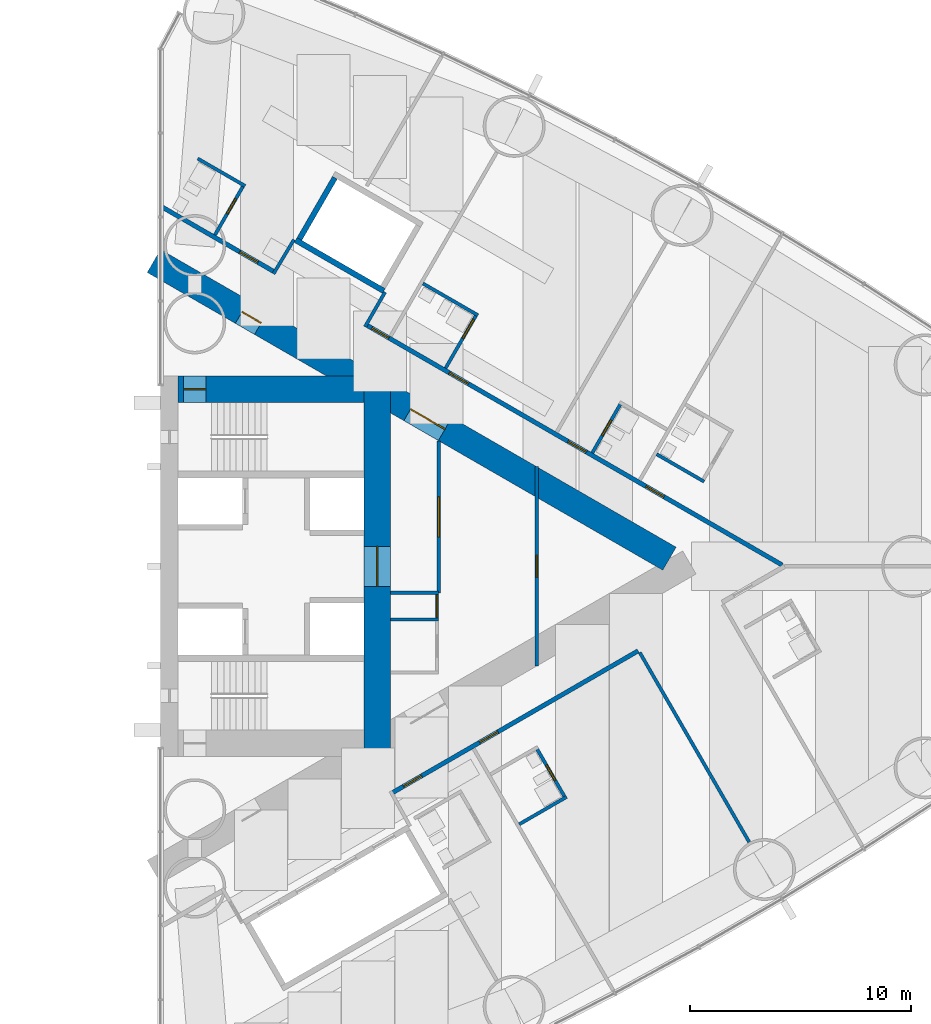
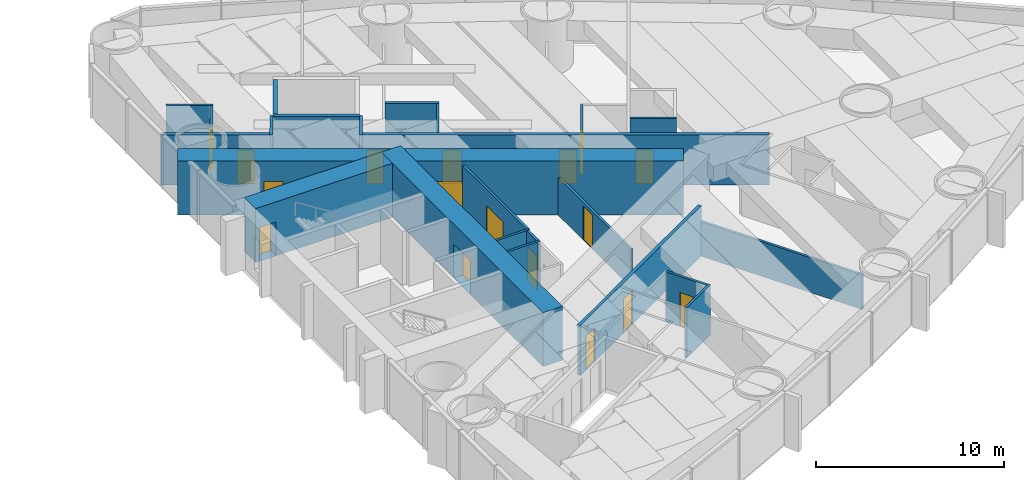
# One storey, part 14 of 18: 24 walls, 18 doors, 18 openings.
"""IFC4 building model written with IfcOpenShell, lengths in metres."""

from ifc_helpers import new_model, si_unit, direction, frame, frame_2d, origin, place, context, subcontext, project, spatial, rectangle, extrude, material, layer, layer_set, type_object, element, fill, save


model = new_model("IFC4")

# Units and contexts
model_context = context("Model", 3, precision=1e-05, world=origin(), true_north=direction((0.0, 1.0)))
body_context = subcontext(model_context, "Body", "Model", "MODEL_VIEW")
ifc_project = project(units=[si_unit("LENGTHUNIT", "METRE"), si_unit("AREAUNIT", "SQUARE_METRE"), si_unit("VOLUMEUNIT", "CUBIC_METRE"), si_unit("PLANEANGLEUNIT", "RADIAN"), si_unit("MASSUNIT", "GRAM", prefix="KILO")], contexts=[model_context])

# Site, building, storey
site_placement = place(None, origin())
site = spatial("IfcSite", under=ifc_project, at=site_placement, CompositionType="ELEMENT")
building_placement = place(site_placement, origin())
building = spatial("IfcBuilding", under=site, at=building_placement, Name="Lancet Gate Hotel", CompositionType="ELEMENT")
storey_placement = place(building_placement, frame((0.0, 0.0, 56.5)))
storey = spatial("IfcBuildingStorey", under=building, at=storey_placement, Name="L14", CompositionType="ELEMENT", Elevation=56.5)

# Wall
ifc_material_1 = material(Name="Moisture resistant board partition")
ifc_layer_1 = layer(ifc_material_1, 0.14990234375)
ifc_layer_set_1 = layer_set([ifc_layer_1], Name="Bathroom wall 150")
wall_type_1 = type_object("IfcWallType", Name="Bathroom wall 150", PredefinedType="PARTITIONING", material=ifc_layer_set_1)
wall_1_placement = place(storey_placement, frame((43.71240234375, -11.65673828125, 0.0), z_axis=(0.0, 0.0, 1.0), x_axis=(0.866006523861, 0.500032699561, 0.0)))
element("IfcWall", 1, at=wall_1_placement, inside=storey, type_object=wall_type_1, Name="T2 bathroom wall 150 L14", PredefinedType="PARTITIONING", context=body_context, shape_type="SweptSolid", body=[
    extrude(rectangle(XDim=2.474853515625, YDim=0.14990234375, at=frame_2d((1.2373046875, 0.0))), origin(), (0.0, 0.0, 1.0), 3.25),
])

# Wall, opening, door
wall_2_placement = place(storey_placement, frame((44.49072265625, -8.205078125, 0.0), z_axis=(0.0, 0.0, 1.0), x_axis=(0.500047596559, -0.865997922154, 0.0)))
wall_2 = element("IfcWall", 2, at=wall_2_placement, inside=storey, type_object=wall_type_1, Name="T2 bathroom wall 150 L14", PredefinedType="PARTITIONING", context=body_context, shape_type="SweptSolid", body=[
    extrude(rectangle(XDim=2.599853515625, YDim=0.14990234375, at=frame_2d((1.2998046875, 0.0))), origin(), (0.0, 0.0, 1.0), 3.25),
])
opening_1_placement = place(wall_2_placement, frame((0.89990234375, 0.0, 0.0)))
opening_1 = element("IfcOpeningElement", 3, at=opening_1_placement, cuts=wall_2, Name="Opening 1454-B", PredefinedType="OPENING", context=body_context, shape_type="SweptSolid", body=[
    extrude(rectangle(XDim=0.800048828125, YDim=2.199951171875, at=frame_2d((0.39990234375, 1.10009765625))), frame((0.0, 0.0849609375, 0.0), z_axis=(0.0, -1.0, 0.0), x_axis=(1.0, 0.0, 0.0)), (0.0, 0.0, 1.0), 0.169921875),
])
ifc_material_2 = material(Name="Timber door set", Category="wood")
door_type_1 = type_object("IfcDoorType", Name="Bathroom door 800", OperationType="SINGLE_SWING_RIGHT", PredefinedType="DOOR", material=ifc_material_2)
door_1_placement = place(opening_1_placement, origin())
door_1 = element("IfcDoor", 4, at=door_1_placement, inside=storey, type_object=door_type_1, Name="1454-B", OperationType="SINGLE_SWING_RIGHT", OverallHeight=2.199951171875, OverallWidth=0.800048828125, PredefinedType="DOOR", context=body_context, shape_type="SweptSolid", body=[
    extrude(rectangle(XDim=0.800048828125, YDim=2.199951171875, at=frame_2d((0.39990234375, 1.10009765625))), frame((0.0, 0.02490234375, 0.0), z_axis=(0.0, -1.0, 0.0), x_axis=(1.0, 0.0, 0.0)), (0.0, 0.0, 1.0), 0.050048828125),
])
fill(opening_1, door_1)

# Wall
wall_3_placement = place(storey_placement, frame((49.924560546875, 5.06787109375, 0.0), z_axis=(0.0, 0.0, 1.0), x_axis=(0.866006523861, -0.500032699561, 0.0)))
element("IfcWall", 5, at=wall_3_placement, inside=storey, type_object=wall_type_1, Name="T2 bathroom wall 150 L14", PredefinedType="PARTITIONING", context=body_context, shape_type="SweptSolid", body=[
    extrude(rectangle(XDim=2.474853515625, YDim=0.14990234375, at=frame_2d((1.2373046875, 0.0))), origin(), (0.0, 0.0, 1.0), 3.25),
])

# Wall, opening, door
wall_4_placement = place(storey_placement, frame((47.01611328125, 5.13037109375, 0.0), z_axis=(0.0, 0.0, 1.0), x_axis=(0.500006934395, 0.866021400173, 0.0)))
wall_4 = element("IfcWall", 6, at=wall_4_placement, inside=storey, type_object=wall_type_1, Name="T2 bathroom wall 150 L14", PredefinedType="PARTITIONING", context=body_context, shape_type="SweptSolid", body=[
    extrude(rectangle(XDim=2.60009765625, YDim=0.14990234375, at=frame_2d((1.300048828125, 0.0))), origin(), (0.0, 0.0, 1.0), 3.25),
])
opening_2_placement = place(wall_4_placement, frame((0.89990234375, 0.0, 0.0)))
opening_2 = element("IfcOpeningElement", 7, at=opening_2_placement, cuts=wall_4, Name="Opening 1460-B", PredefinedType="OPENING", context=body_context, shape_type="SweptSolid", body=[
    extrude(rectangle(XDim=0.800048828125, YDim=2.199951171875, at=frame_2d((0.39990234375, 1.10009765625))), frame((0.0, 0.0849609375, 0.0), z_axis=(0.0, -1.0, 0.0), x_axis=(1.0, 0.0, 0.0)), (0.0, 0.0, 1.0), 0.169921875),
])
door_2_placement = place(opening_2_placement, origin())
door_2 = element("IfcDoor", 8, at=door_2_placement, inside=storey, type_object=door_type_1, Name="1460-B", OperationType="SINGLE_SWING_RIGHT", OverallHeight=2.199951171875, OverallWidth=0.800048828125, PredefinedType="DOOR", context=body_context, shape_type="SweptSolid", body=[
    extrude(rectangle(XDim=0.800048828125, YDim=2.199951171875, at=frame_2d((0.39990234375, 1.10009765625))), frame((0.0, 0.02490234375, 0.0), z_axis=(0.0, -1.0, 0.0), x_axis=(1.0, 0.0, 0.0)), (0.0, 0.0, 1.0), 0.050048828125),
])
fill(opening_2, door_2)

# Wall
wall_5_placement = place(storey_placement, frame((39.360107421875, 12.78369140625, 0.0), z_axis=(0.0, 0.0, 1.0), x_axis=(0.866018712932, -0.500011588718, 0.0)))
element("IfcWall", 9, at=wall_5_placement, inside=storey, type_object=wall_type_1, Name="T2 bathroom wall 150 L14", PredefinedType="PARTITIONING", context=body_context, shape_type="SweptSolid", body=[
    extrude(rectangle(XDim=2.875, YDim=0.14990234375, at=frame_2d((1.4375, 0.0))), origin(), (0.0, 0.0, 1.0), 3.25),
])

# Wall, opening, door
wall_6_placement = place(storey_placement, frame((40.385009765625, 8.958984375, 0.0), z_axis=(0.0, 0.0, 1.0), x_axis=(0.49998411664, 0.866034573852, 0.0)))
wall_6 = element("IfcWall", 10, at=wall_6_placement, inside=storey, type_object=wall_type_1, Name="T2 bathroom wall 150 L14", PredefinedType="PARTITIONING", context=body_context, shape_type="SweptSolid", body=[
    extrude(rectangle(XDim=2.7998046875, YDim=0.14990234375, at=frame_2d((1.39990234375, 0.0))), origin(), (0.0, 0.0, 1.0), 3.25),
])
opening_3_placement = place(wall_6_placement, frame((1.550048828125, 0.0, 0.0)))
opening_3 = element("IfcOpeningElement", 11, at=opening_3_placement, cuts=wall_6, Name="Opening 1461-B", PredefinedType="OPENING", context=body_context, shape_type="SweptSolid", body=[
    extrude(rectangle(XDim=1.0, YDim=2.199951171875, at=frame_2d((0.5, 1.10009765625))), frame((0.0, 0.0849609375, 0.0), z_axis=(0.0, -1.0, 0.0), x_axis=(1.0, 0.0, 0.0)), (0.0, 0.0, 1.0), 0.169921875),
])
ifc_material_3 = material(Name="Timber door set", Category="wood")
door_type_2 = type_object("IfcDoorType", Name="Accessible en-suite door 1000", OperationType="SINGLE_SWING_RIGHT", PredefinedType="DOOR", material=ifc_material_3)
door_3_placement = place(opening_3_placement, origin())
door_3 = element("IfcDoor", 12, at=door_3_placement, inside=storey, type_object=door_type_2, Name="1461-B", OperationType="SINGLE_SWING_RIGHT", OverallHeight=2.199951171875, OverallWidth=1.0, PredefinedType="DOOR", context=body_context, shape_type="SweptSolid", body=[
    extrude(rectangle(XDim=1.0, YDim=2.199951171875, at=frame_2d((0.5, 1.10009765625))), frame((0.0, 0.02490234375, 0.0), z_axis=(0.0, -1.0, 0.0), x_axis=(1.0, 0.0, 0.0)), (0.0, 0.0, 1.0), 0.050048828125),
])
fill(opening_3, door_3)

# Wall
wall_7_placement = place(storey_placement, frame((29.181884765625, 18.42919921875, 0.0), z_axis=(0.0, 0.0, 1.0), x_axis=(0.866006523861, -0.500032699561, 0.0)))
element("IfcWall", 13, at=wall_7_placement, inside=storey, type_object=wall_type_1, Name="T2 bathroom wall 150 L14", PredefinedType="PARTITIONING", context=body_context, shape_type="SweptSolid", body=[
    extrude(rectangle(XDim=2.474853515625, YDim=0.14990234375, at=frame_2d((1.2373046875, 0.0))), origin(), (0.0, 0.0, 1.0), 3.25),
])

# Wall, opening, door
wall_8_placement = place(storey_placement, frame((29.960205078125, 14.9775390625, 0.0), z_axis=(0.0, 0.0, 1.0), x_axis=(0.500006934395, 0.866021400173, 0.0)))
wall_8 = element("IfcWall", 14, at=wall_8_placement, inside=storey, type_object=wall_type_1, Name="T2 bathroom wall 150 L14", PredefinedType="PARTITIONING", context=body_context, shape_type="SweptSolid", body=[
    extrude(rectangle(XDim=2.60009765625, YDim=0.14990234375, at=frame_2d((1.300048828125, 0.0))), origin(), (0.0, 0.0, 1.0), 3.25),
])
opening_4_placement = place(wall_8_placement, frame((1.10009765625, 0.0, 0.0)))
opening_4 = element("IfcOpeningElement", 15, at=opening_4_placement, cuts=wall_8, Name="Opening 1464-B", PredefinedType="OPENING", context=body_context, shape_type="SweptSolid", body=[
    extrude(rectangle(XDim=0.800048828125, YDim=2.199951171875, at=frame_2d((0.39990234375, 1.10009765625))), frame((0.0, 0.0849609375, 0.0), z_axis=(0.0, -1.0, 0.0), x_axis=(1.0, 0.0, 0.0)), (0.0, 0.0, 1.0), 0.169921875),
])
door_4_placement = place(opening_4_placement, origin())
door_4 = element("IfcDoor", 16, at=door_4_placement, inside=storey, type_object=door_type_1, Name="1464-B", OperationType="SINGLE_SWING_RIGHT", OverallHeight=2.199951171875, OverallWidth=0.800048828125, PredefinedType="DOOR", context=body_context, shape_type="SweptSolid", body=[
    extrude(rectangle(XDim=0.800048828125, YDim=2.199951171875, at=frame_2d((0.39990234375, 1.10009765625))), frame((0.0, 0.02490234375, 0.0), z_axis=(0.0, -1.0, 0.0), x_axis=(1.0, 0.0, 0.0)), (0.0, 0.0, 1.0), 0.050048828125),
])
fill(opening_4, door_4)

# Wall, openings, doors
ifc_material_4 = material(Name="Concrete C70/85", Category="concrete")
ifc_layer_2 = layer(ifc_material_4, 1.199951171875)
ifc_layer_set_2 = layer_set([ifc_layer_2], Name="Buttress wall 1200")
wall_type_2 = type_object("IfcWallType", Name="Buttress wall 1200", PredefinedType="SHEAR", material=ifc_layer_set_2)
wall_9_placement = place(storey_placement, frame((27.199951171875, 13.800048828125, 0.0), z_axis=(0.0, 0.0, 1.0), x_axis=(0.866024515034, -0.500001539357, 0.0)))
wall_9 = element("IfcWall", 17, at=wall_9_placement, inside=storey, type_object=wall_type_2, Name="T2 buttress wall N L14", PredefinedType="SHEAR", context=body_context, shape_type="SweptSolid", body=[
    extrude(rectangle(XDim=26.9072265625, YDim=1.199951171875, at=frame_2d((13.45361328125, 0.0))), origin(), (0.0, 0.0, 1.0), 3.5),
])
opening_5_placement = place(wall_9_placement, frame((4.60009765625, 0.0, 0.0)))
opening_5 = element("IfcOpeningElement", 18, at=opening_5_placement, cuts=wall_9, Name="Opening T2-L14-LN", PredefinedType="OPENING", context=body_context, shape_type="SweptSolid", body=[
    extrude(rectangle(XDim=1.0, YDim=2.199951171875, at=frame_2d((0.5, 1.10009765625))), frame((0.0, 0.60986328125, 0.0), z_axis=(0.0, -1.0, 0.0), x_axis=(1.0, 0.0, 0.0)), (0.0, 0.0, 1.0), 1.219970703125),
])
opening_6_placement = place(wall_9_placement, frame((13.39453125, 0.0, 0.0)))
opening_6 = element("IfcOpeningElement", 19, at=opening_6_placement, cuts=wall_9, Name="Opening T2-L14-LHN", PredefinedType="OPENING", context=body_context, shape_type="SweptSolid", body=[
    extrude(rectangle(XDim=1.800048828125, YDim=2.199951171875, at=frame_2d((0.89990234375, 1.10009765625))), frame((0.0, 0.60986328125, 0.0), z_axis=(0.0, -1.0, 0.0), x_axis=(1.0, 0.0, 0.0)), (0.0, 0.0, 1.0), 1.219970703125),
])
ifc_material_5 = material(Name="Timber door set", Category="wood")
door_type_3 = type_object("IfcDoorType", Name="Lobby double door 1800", OperationType="DOUBLE_DOOR_SINGLE_SWING", PredefinedType="DOOR", material=ifc_material_5)
door_5_placement = place(opening_6_placement, origin())
door_5 = element("IfcDoor", 20, at=door_5_placement, inside=storey, type_object=door_type_3, Name="T2-L14-LHN", OperationType="DOUBLE_DOOR_SINGLE_SWING", OverallHeight=2.199951171875, OverallWidth=1.800048828125, PredefinedType="DOOR", context=body_context, shape_type="SweptSolid", body=[
    extrude(rectangle(XDim=1.800048828125, YDim=2.199951171875, at=frame_2d((0.89990234375, 1.10009765625))), frame((0.0, 0.02490234375, 0.0), z_axis=(0.0, -1.0, 0.0), x_axis=(1.0, 0.0, 0.0)), (0.0, 0.0, 1.0), 0.050048828125),
])
fill(opening_6, door_5)
ifc_material_6 = material(Name="Timber door set", Category="wood")
door_type_4 = type_object("IfcDoorType", Name="Stair lobby door 1000", OperationType="SINGLE_SWING_LEFT", PredefinedType="DOOR", material=ifc_material_6)
door_6_placement = place(opening_5_placement, origin())
door_6 = element("IfcDoor", 21, at=door_6_placement, inside=storey, type_object=door_type_4, Name="T2-L14-LN", OperationType="SINGLE_SWING_LEFT", OverallHeight=2.199951171875, OverallWidth=1.0, PredefinedType="DOOR", context=body_context, shape_type="SweptSolid", body=[
    extrude(rectangle(XDim=1.0, YDim=2.199951171875, at=frame_2d((0.5, 1.10009765625))), frame((0.0, 0.02490234375, 0.0), z_axis=(0.0, -1.0, 0.0), x_axis=(1.0, 0.0, 0.0)), (0.0, 0.0, 1.0), 0.050048828125),
])
fill(opening_5, door_6)

# Wall, opening, door
ifc_material_7 = material(Name="Concrete C70/85", Category="concrete")
ifc_layer_3 = layer(ifc_material_7, 1.199951171875)
ifc_layer_set_3 = layer_set([ifc_layer_3], Name="Core wall 1200")
wall_type_3 = type_object("IfcWallType", Name="Core wall 1200", PredefinedType="SHEAR", material=ifc_layer_set_3)
wall_10_placement = place(storey_placement, frame((37.300048828125, -8.60009765625, 0.0), z_axis=(0.0, 0.0, 1.0), x_axis=(0.0, 1.0, 0.0)))
wall_10 = element("IfcWall", 22, at=wall_10_placement, inside=storey, type_object=wall_type_3, Name="T2 core wall back L14", PredefinedType="SHEAR", context=body_context, shape_type="SweptSolid", body=[
    extrude(rectangle(XDim=17.2001953125, YDim=1.199951171875, at=frame_2d((8.60009765625, 0.0))), origin(), (0.0, 0.0, 1.0), 3.5),
])
opening_7_placement = place(wall_10_placement, frame((7.699951171875, 0.0, 0.0)))
opening_7 = element("IfcOpeningElement", 23, at=opening_7_placement, cuts=wall_10, Name="Opening T2-L14-LL", PredefinedType="OPENING", context=body_context, shape_type="SweptSolid", body=[
    extrude(rectangle(XDim=1.800048828125, YDim=2.199951171875, at=frame_2d((0.89990234375, 1.10009765625))), frame((0.0, 0.60986328125, 0.0), z_axis=(0.0, -1.0, 0.0), x_axis=(1.0, 0.0, 0.0)), (0.0, 0.0, 1.0), 1.219970703125),
])
door_7_placement = place(opening_7_placement, origin())
door_7 = element("IfcDoor", 24, at=door_7_placement, inside=storey, type_object=door_type_3, Name="T2-L14-LL", OperationType="DOUBLE_DOOR_SINGLE_SWING", OverallHeight=2.199951171875, OverallWidth=1.800048828125, PredefinedType="DOOR", context=body_context, shape_type="SweptSolid", body=[
    extrude(rectangle(XDim=1.800048828125, YDim=2.199951171875, at=frame_2d((0.89990234375, 1.10009765625))), frame((0.0, 0.02490234375, 0.0), z_axis=(0.0, -1.0, 0.0), x_axis=(1.0, 0.0, 0.0)), (0.0, 0.0, 1.0), 0.050048828125),
])
fill(opening_7, door_7)

wall_11_placement = place(storey_placement, frame((28.300048828125, 8.0, 0.0), z_axis=(0.0, 0.0, 1.0), x_axis=(1.0, 0.0, 0.0)))
wall_11 = element("IfcWall", 25, at=wall_11_placement, inside=storey, type_object=wall_type_3, Name="T2 core wall side-N L14", PredefinedType="SHEAR", context=body_context, shape_type="SweptSolid", body=[
    extrude(rectangle(XDim=8.39990234375, YDim=1.199951171875, at=frame_2d((4.199951171875, 0.0))), origin(), (0.0, 0.0, 1.0), 3.5),
])
opening_8_placement = place(wall_11_placement, frame((0.25, 0.0, 0.0)))
opening_8 = element("IfcOpeningElement", 26, at=opening_8_placement, cuts=wall_11, Name="Opening T2-L14-ST2", PredefinedType="OPENING", context=body_context, shape_type="SweptSolid", body=[
    extrude(rectangle(XDim=1.0, YDim=2.199951171875, at=frame_2d((0.5, 1.10009765625))), frame((0.0, 0.60986328125, 0.0), z_axis=(0.0, -1.0, 0.0), x_axis=(1.0, 0.0, 0.0)), (0.0, 0.0, 1.0), 1.219970703125),
])
ifc_material_8 = material(Name="Timber door set", Category="wood")
door_type_5 = type_object("IfcDoorType", Name="Stair door 1000", OperationType="SINGLE_SWING_RIGHT", PredefinedType="DOOR", material=ifc_material_8)
door_8_placement = place(opening_8_placement, origin())
door_8 = element("IfcDoor", 27, at=door_8_placement, inside=storey, type_object=door_type_5, Name="T2-L14-ST2", OperationType="SINGLE_SWING_RIGHT", OverallHeight=2.199951171875, OverallWidth=1.0, PredefinedType="DOOR", context=body_context, shape_type="SweptSolid", body=[
    extrude(rectangle(XDim=1.0, YDim=2.199951171875, at=frame_2d((0.5, 1.10009765625))), frame((0.0, 0.02490234375, 0.0), z_axis=(0.0, -1.0, 0.0), x_axis=(1.0, 0.0, 0.0)), (0.0, 0.0, 1.0), 0.050048828125),
])
fill(opening_8, door_8)

ifc_material_9 = material(Name="Gypsum board partition")
ifc_layer_4 = layer(ifc_material_9, 0.199951171875)
ifc_layer_set_4 = layer_set([ifc_layer_4], Name="Corridor wall 200")
wall_type_4 = type_object("IfcWallType", Name="Corridor wall 200", PredefinedType="PARTITIONING", material=ifc_layer_set_4)
wall_12_placement = place(storey_placement, frame((27.572021484375, 16.240966796875, 0.0), z_axis=(0.0, 0.0, 1.0), x_axis=(0.866032814021, -0.499987164874, 0.0)))
wall_12 = element("IfcWall", 28, at=wall_12_placement, inside=storey, type_object=wall_type_4, Name="T2 corridor wall 200 L14", PredefinedType="PARTITIONING", context=body_context, shape_type="SweptSolid", body=[
    extrude(rectangle(XDim=5.854736328125, YDim=0.199951171875, at=frame_2d((2.92724609375, 0.0))), origin(), (0.0, 0.0, 1.0), 3.25),
])
opening_9_placement = place(wall_12_placement, frame((4.050048828125, 0.0, 0.0)))
opening_9 = element("IfcOpeningElement", 29, at=opening_9_placement, cuts=wall_12, Name="Opening 1464-E", PredefinedType="OPENING", context=body_context, shape_type="SweptSolid", body=[
    extrude(rectangle(XDim=0.949951171875, YDim=2.199951171875, at=frame_2d((0.47509765625, 1.10009765625))), frame((0.0, 0.10986328125, 0.0), z_axis=(0.0, -1.0, 0.0), x_axis=(1.0, 0.0, 0.0)), (0.0, 0.0, 1.0), 0.219970703125),
])
ifc_material_10 = material(Name="Timber door set", Category="wood")
door_type_6 = type_object("IfcDoorType", Name="Guest room entry door 950", OperationType="SINGLE_SWING_LEFT", PredefinedType="DOOR", material=ifc_material_10)
door_9_placement = place(opening_9_placement, origin())
door_9 = element("IfcDoor", 30, at=door_9_placement, inside=storey, type_object=door_type_6, Name="1464-E", OperationType="SINGLE_SWING_LEFT", OverallHeight=2.199951171875, OverallWidth=0.949951171875, PredefinedType="DOOR", context=body_context, shape_type="SweptSolid", body=[
    extrude(rectangle(XDim=0.949951171875, YDim=2.199951171875, at=frame_2d((0.47509765625, 1.10009765625))), frame((0.0, 0.02490234375, 0.0), z_axis=(0.0, -1.0, 0.0), x_axis=(1.0, 0.0, 0.0)), (0.0, 0.0, 1.0), 0.050048828125),
])
fill(opening_9, door_9)

# Wall, openings, doors
wall_13_placement = place(storey_placement, frame((36.833984375, 10.8935546875, 0.0), z_axis=(0.0, 0.0, 1.0), x_axis=(0.866028157229, -0.499995230863, 0.0)))
wall_13 = element("IfcWall", 31, at=wall_13_placement, inside=storey, type_object=wall_type_4, Name="T2 corridor wall 200 L14", PredefinedType="PARTITIONING", context=body_context, shape_type="SweptSolid", body=[
    extrude(rectangle(XDim=21.667236328125, YDim=0.199951171875, at=frame_2d((10.83349609375, 0.0))), origin(), (0.0, 0.0, 1.0), 3.25),
])
opening_10_placement = place(wall_13_placement, frame((14.549560546875, 0.0, 0.0)))
opening_10 = element("IfcOpeningElement", 32, at=opening_10_placement, cuts=wall_13, Name="Opening 1458-E", PredefinedType="OPENING", context=body_context, shape_type="SweptSolid", body=[
    extrude(rectangle(XDim=0.949951171875, YDim=2.199951171875, at=frame_2d((0.47509765625, 1.10009765625))), frame((0.0, 0.10986328125, 0.0), z_axis=(0.0, -1.0, 0.0), x_axis=(1.0, 0.0, 0.0)), (0.0, 0.0, 1.0), 0.219970703125),
])
opening_11_placement = place(wall_13_placement, frame((10.49951171875, 0.0, 0.0)))
opening_11 = element("IfcOpeningElement", 33, at=opening_11_placement, cuts=wall_13, Name="Opening 1460-E", PredefinedType="OPENING", context=body_context, shape_type="SweptSolid", body=[
    extrude(rectangle(XDim=0.949951171875, YDim=2.199951171875, at=frame_2d((0.47509765625, 1.10009765625))), frame((0.0, 0.10986328125, 0.0), z_axis=(0.0, -1.0, 0.0), x_axis=(1.0, 0.0, 0.0)), (0.0, 0.0, 1.0), 0.219970703125),
])
opening_12_placement = place(wall_13_placement, frame((4.29248046875, 0.0, 0.0)))
opening_12 = element("IfcOpeningElement", 34, at=opening_12_placement, cuts=wall_13, Name="Opening 1461-E", PredefinedType="OPENING", context=body_context, shape_type="SweptSolid", body=[
    extrude(rectangle(XDim=1.0, YDim=2.199951171875, at=frame_2d((0.5, 1.10009765625))), frame((0.0, 0.10986328125, 0.0), z_axis=(0.0, -1.0, 0.0), x_axis=(1.0, 0.0, 0.0)), (0.0, 0.0, 1.0), 0.219970703125),
])
opening_13_placement = place(wall_13_placement, frame((0.246337890625, 0.0, 0.0)))
opening_13 = element("IfcOpeningElement", 35, at=opening_13_placement, cuts=wall_13, Name="Opening T2-L14-LO2", PredefinedType="OPENING", context=body_context, shape_type="SweptSolid", body=[
    extrude(rectangle(XDim=0.89990234375, YDim=2.199951171875, at=frame_2d((0.449951171875, 1.10009765625))), frame((0.0, 0.10986328125, 0.0), z_axis=(0.0, -1.0, 0.0), x_axis=(1.0, 0.0, 0.0)), (0.0, 0.0, 1.0), 0.219970703125),
])
ifc_material_11 = material(Name="Timber door set", Category="wood")
door_type_7 = type_object("IfcDoorType", Name="Accessible guest room door 1000", OperationType="SINGLE_SWING_LEFT", PredefinedType="DOOR", material=ifc_material_11)
door_10_placement = place(opening_12_placement, origin())
door_10 = element("IfcDoor", 36, at=door_10_placement, inside=storey, type_object=door_type_7, Name="1461-E", OperationType="SINGLE_SWING_LEFT", OverallHeight=2.199951171875, OverallWidth=1.0, PredefinedType="DOOR", context=body_context, shape_type="SweptSolid", body=[
    extrude(rectangle(XDim=1.0, YDim=2.199951171875, at=frame_2d((0.5, 1.10009765625))), frame((0.0, 0.02490234375, 0.0), z_axis=(0.0, -1.0, 0.0), x_axis=(1.0, 0.0, 0.0)), (0.0, 0.0, 1.0), 0.050048828125),
])
fill(opening_12, door_10)
door_11_placement = place(opening_10_placement, origin())
door_11 = element("IfcDoor", 37, at=door_11_placement, inside=storey, type_object=door_type_6, Name="1458-E", OperationType="SINGLE_SWING_LEFT", OverallHeight=2.199951171875, OverallWidth=0.949951171875, PredefinedType="DOOR", context=body_context, shape_type="SweptSolid", body=[
    extrude(rectangle(XDim=0.949951171875, YDim=2.199951171875, at=frame_2d((0.47509765625, 1.10009765625))), frame((0.0, 0.02490234375, 0.0), z_axis=(0.0, -1.0, 0.0), x_axis=(1.0, 0.0, 0.0)), (0.0, 0.0, 1.0), 0.050048828125),
])
fill(opening_10, door_11)
door_12_placement = place(opening_11_placement, origin())
door_12 = element("IfcDoor", 38, at=door_12_placement, inside=storey, type_object=door_type_6, Name="1460-E", OperationType="SINGLE_SWING_LEFT", OverallHeight=2.199951171875, OverallWidth=0.949951171875, PredefinedType="DOOR", context=body_context, shape_type="SweptSolid", body=[
    extrude(rectangle(XDim=0.949951171875, YDim=2.199951171875, at=frame_2d((0.47509765625, 1.10009765625))), frame((0.0, 0.02490234375, 0.0), z_axis=(0.0, -1.0, 0.0), x_axis=(1.0, 0.0, 0.0)), (0.0, 0.0, 1.0), 0.050048828125),
])
fill(opening_11, door_12)
door_13_placement = place(opening_13_placement, origin())
door_13 = element("IfcDoor", 39, at=door_13_placement, inside=storey, type_object=door_type_6, Name="T2-L14-LO2", OperationType="SINGLE_SWING_LEFT", OverallHeight=2.199951171875, OverallWidth=0.89990234375, PredefinedType="DOOR", context=body_context, shape_type="SweptSolid", body=[
    extrude(rectangle(XDim=0.89990234375, YDim=2.199951171875, at=frame_2d((0.449951171875, 1.10009765625))), frame((0.0, 0.02490234375, 0.0), z_axis=(0.0, -1.0, 0.0), x_axis=(1.0, 0.0, 0.0)), (0.0, 0.0, 1.0), 0.050048828125),
])
fill(opening_13, door_13)

wall_14_placement = place(storey_placement, frame((37.9599609375, -10.243408203125, 0.0), z_axis=(0.0, 0.0, 1.0), x_axis=(0.866030548046, 0.499991089772, 0.0)))
wall_14 = element("IfcWall", 40, at=wall_14_placement, inside=storey, type_object=wall_type_4, Name="T2 corridor wall 200 L14", PredefinedType="PARTITIONING", context=body_context, shape_type="SweptSolid", body=[
    extrude(rectangle(XDim=12.849365234375, YDim=0.199951171875, at=frame_2d((6.4248046875, 0.0))), origin(), (0.0, 0.0, 1.0), 3.25),
])
opening_14_placement = place(wall_14_placement, frame((4.574951171875, 0.0, 0.0)))
opening_14 = element("IfcOpeningElement", 41, at=opening_14_placement, cuts=wall_14, Name="Opening 1454-E", PredefinedType="OPENING", context=body_context, shape_type="SweptSolid", body=[
    extrude(rectangle(XDim=0.949951171875, YDim=2.199951171875, at=frame_2d((0.47509765625, 1.10009765625))), frame((0.0, 0.10986328125, 0.0), z_axis=(0.0, -1.0, 0.0), x_axis=(1.0, 0.0, 0.0)), (0.0, 0.0, 1.0), 0.219970703125),
])
opening_15_placement = place(wall_14_placement, frame((0.60009765625, 0.0, 0.0)))
opening_15 = element("IfcOpeningElement", 42, at=opening_15_placement, cuts=wall_14, Name="Opening 1453-E", PredefinedType="OPENING", context=body_context, shape_type="SweptSolid", body=[
    extrude(rectangle(XDim=0.949951171875, YDim=2.199951171875, at=frame_2d((0.47509765625, 1.10009765625))), frame((0.0, 0.10986328125, 0.0), z_axis=(0.0, -1.0, 0.0), x_axis=(1.0, 0.0, 0.0)), (0.0, 0.0, 1.0), 0.219970703125),
])
door_14_placement = place(opening_14_placement, origin())
door_14 = element("IfcDoor", 43, at=door_14_placement, inside=storey, type_object=door_type_6, Name="1454-E", OperationType="SINGLE_SWING_LEFT", OverallHeight=2.199951171875, OverallWidth=0.949951171875, PredefinedType="DOOR", context=body_context, shape_type="SweptSolid", body=[
    extrude(rectangle(XDim=0.949951171875, YDim=2.199951171875, at=frame_2d((0.47509765625, 1.10009765625))), frame((0.0, 0.02490234375, 0.0), z_axis=(0.0, -1.0, 0.0), x_axis=(1.0, 0.0, 0.0)), (0.0, 0.0, 1.0), 0.050048828125),
])
fill(opening_14, door_14)
door_15_placement = place(opening_15_placement, origin())
door_15 = element("IfcDoor", 44, at=door_15_placement, inside=storey, type_object=door_type_6, Name="1453-E", OperationType="SINGLE_SWING_LEFT", OverallHeight=2.199951171875, OverallWidth=0.949951171875, PredefinedType="DOOR", context=body_context, shape_type="SweptSolid", body=[
    extrude(rectangle(XDim=0.949951171875, YDim=2.199951171875, at=frame_2d((0.47509765625, 1.10009765625))), frame((0.0, 0.02490234375, 0.0), z_axis=(0.0, -1.0, 0.0), x_axis=(1.0, 0.0, 0.0)), (0.0, 0.0, 1.0), 0.050048828125),
])
fill(opening_15, door_15)

# Walls
ifc_material_12 = material(Name="Gypsum board partition")
ifc_layer_5 = layer(ifc_material_12, 0.25)
ifc_layer_set_5 = layer_set([ifc_layer_5], Name="Lift shaft partition 250")
wall_type_5 = type_object("IfcWallType", Name="Lift shaft partition 250", PredefinedType="PARTITIONING", material=ifc_layer_set_5)
wall_15_placement = place(storey_placement, frame((33.6083984375, 14.747314453125, 0.0), z_axis=(0.0, 0.0, 1.0), x_axis=(0.866043305498, -0.49996899204, 0.0)))
element("IfcWall", 45, at=wall_15_placement, inside=storey, type_object=wall_type_5, Name="T2 lift shaft wall EX L14", PredefinedType="PARTITIONING", context=body_context, shape_type="SweptSolid", body=[
    extrude(rectangle(XDim=4.600341796875, YDim=0.25, at=frame_2d((2.30029296875, 0.0))), origin(), (0.0, 0.0, 1.0), 3.25),
])
wall_16_placement = place(storey_placement, frame((33.779296875, 14.79296875, 0.0), z_axis=(0.0, 0.0, 1.0), x_axis=(0.499929347863, 0.866066190972, 0.0)))
element("IfcWall", 46, at=wall_16_placement, inside=storey, type_object=wall_type_5, Name="T2 lift shaft wall EX L14", PredefinedType="PARTITIONING", context=body_context, shape_type="SweptSolid", body=[
    extrude(rectangle(XDim=3.20068359375, YDim=0.25, at=frame_2d((1.600341796875, 0.0))), origin(), (0.0, 0.0, 1.0), 3.25),
])
ifc_material_13 = material(Name="Gypsum board partition")
ifc_layer_6 = layer(ifc_material_13, 0.14990234375)
ifc_layer_set_6 = layer_set([ifc_layer_6], Name="Party wall 150")
wall_type_6 = type_object("IfcWallType", Name="Party wall 150", PredefinedType="PARTITIONING", material=ifc_layer_set_6)
wall_17_placement = place(storey_placement, frame((49.159423828125, -3.892822265625, 0.0), z_axis=(0.0, 0.0, 1.0), x_axis=(0.499998773722, -0.866026111775, 0.0)))
element("IfcWall", 47, at=wall_17_placement, inside=storey, type_object=wall_type_6, Name="T2 party wall 150 L14", PredefinedType="PARTITIONING", context=body_context, shape_type="SweptSolid", body=[
    extrude(rectangle(XDim=9.8916015625, YDim=0.14990234375, at=frame_2d((4.94580078125, 0.0))), origin(), (0.0, 0.0, 1.0), 2.25),
])
ifc_material_14 = material(Name="Gypsum board partition")
ifc_layer_7 = layer(ifc_material_14, 0.14990234375)
ifc_layer_set_7 = layer_set([ifc_layer_7], Name="Service room wall 150")
wall_type_7 = type_object("IfcWallType", Name="Service room wall 150", PredefinedType="PARTITIONING", material=ifc_layer_set_7)
for number, where, z_axis, x_axis, name in (
    (48, (33.533447265625, 14.767333984375, 0.0), (0.0, 0.0, 1.0), (-0.514296815006, -0.857612258585, 0.0), "T2 service room wall 150 L14"),
    (49, (36.7451171875, 10.829345703125, 0.0), (0.0, 0.0, 1.0), (0.499921502396, 0.866070719654, 0.0), "T2 service room wall 150 L14"),
):
    element("IfcWall", number, at=place(storey_placement, frame(where, z_axis=z_axis, x_axis=x_axis)), inside=storey, type_object=wall_type_7, Name=name, PredefinedType="PARTITIONING", context=body_context, shape_type="SweptSolid", body=[
        extrude(rectangle(XDim=1.804931640625, YDim=0.14990234375, at=frame_2d((0.90234375, 0.0))), origin(), (0.0, 0.0, 1.0), 3.25),
    ])
for number, where, z_axis, x_axis, name in (
    (50, (37.89990234375, -1.199951171875, 0.0), (0.0, 0.0, 1.0), (1.0, 0.0, 0.0), "T2 service room wall 150 L14"),
    (51, (37.89990234375, -2.39990234375, 0.0), (0.0, 0.0, 1.0), (1.0, 0.0, 0.0), "T2 service room wall 150 L14"),
):
    element("IfcWall", number, at=place(storey_placement, frame(where, z_axis=z_axis, x_axis=x_axis)), inside=storey, type_object=wall_type_7, Name=name, PredefinedType="PARTITIONING", context=body_context, shape_type="SweptSolid", body=[
        extrude(rectangle(XDim=2.175048828125, YDim=0.14990234375, at=frame_2d((1.08740234375, 0.0))), origin(), (0.0, 0.0, 1.0), 3.25),
    ])

# Wall, opening, door
wall_18_placement = place(storey_placement, frame((40.0, -2.47509765625, 0.0), z_axis=(0.0, 0.0, 1.0), x_axis=(0.0, 1.0, 0.0)))
wall_18 = element("IfcWall", 52, at=wall_18_placement, inside=storey, type_object=wall_type_7, Name="T2 service room wall 150 L14", PredefinedType="PARTITIONING", context=body_context, shape_type="SweptSolid", body=[
    extrude(rectangle(XDim=1.35009765625, YDim=0.14990234375, at=frame_2d((0.675048828125, 0.0))), origin(), (0.0, 0.0, 1.0), 3.25),
])
opening_16_placement = place(wall_18_placement, frame((0.175048828125, 0.0, 0.0)))
opening_16 = element("IfcOpeningElement", 53, at=opening_16_placement, cuts=wall_18, Name="Opening T2-L14-HRS0", PredefinedType="OPENING", context=body_context, shape_type="SweptSolid", body=[
    extrude(rectangle(XDim=1.0, YDim=2.199951171875, at=frame_2d((0.5, 1.10009765625))), frame((0.0, 0.0849609375, 0.0), z_axis=(0.0, -1.0, 0.0), x_axis=(1.0, 0.0, 0.0)), (0.0, 0.0, 1.0), 0.169921875),
])
ifc_material_15 = material(Name="Timber door set", Category="wood")
door_type_8 = type_object("IfcDoorType", Name="Service door 1000", OperationType="SINGLE_SWING_LEFT", PredefinedType="DOOR", material=ifc_material_15)
door_16_placement = place(opening_16_placement, origin())
door_16 = element("IfcDoor", 54, at=door_16_placement, inside=storey, type_object=door_type_8, Name="T2-L14-HRS0", OperationType="SINGLE_SWING_LEFT", OverallHeight=2.199951171875, OverallWidth=1.0, PredefinedType="DOOR", context=body_context, shape_type="SweptSolid", body=[
    extrude(rectangle(XDim=1.0, YDim=2.199951171875, at=frame_2d((0.5, 1.10009765625))), frame((0.0, 0.02490234375, 0.0), z_axis=(0.0, -1.0, 0.0), x_axis=(1.0, 0.0, 0.0)), (0.0, 0.0, 1.0), 0.050048828125),
])
fill(opening_16, door_16)

wall_19_placement = place(storey_placement, frame((40.074951171875, -1.199951171875, 0.0), z_axis=(0.0, 0.0, 1.0), x_axis=(0.0, 1.0, 0.0)))
wall_19 = element("IfcWall", 55, at=wall_19_placement, inside=storey, type_object=wall_type_7, Name="T2 service room wall 150 L14", PredefinedType="PARTITIONING", context=body_context, shape_type="SweptSolid", body=[
    extrude(rectangle(XDim=6.873779296875, YDim=0.14990234375, at=frame_2d((3.43701171875, 0.0))), origin(), (0.0, 0.0, 1.0), 3.25),
])
opening_17_placement = place(wall_19_placement, frame((2.536865234375, 0.0, 0.0)))
opening_17 = element("IfcOpeningElement", 56, at=opening_17_placement, cuts=wall_19, Name="Opening T2-L14-LH", PredefinedType="OPENING", context=body_context, shape_type="SweptSolid", body=[
    extrude(rectangle(XDim=1.800048828125, YDim=2.199951171875, at=frame_2d((0.89990234375, 1.10009765625))), frame((0.0, 0.0849609375, 0.0), z_axis=(0.0, -1.0, 0.0), x_axis=(1.0, 0.0, 0.0)), (0.0, 0.0, 1.0), 0.169921875),
])
door_17_placement = place(opening_17_placement, origin())
door_17 = element("IfcDoor", 57, at=door_17_placement, inside=storey, type_object=door_type_3, Name="T2-L14-LH", OperationType="DOUBLE_DOOR_SINGLE_SWING", OverallHeight=2.199951171875, OverallWidth=1.800048828125, PredefinedType="DOOR", context=body_context, shape_type="SweptSolid", body=[
    extrude(rectangle(XDim=1.800048828125, YDim=2.199951171875, at=frame_2d((0.89990234375, 1.10009765625))), frame((0.0, 0.02490234375, 0.0), z_axis=(0.0, -1.0, 0.0), x_axis=(1.0, 0.0, 0.0)), (0.0, 0.0, 1.0), 0.050048828125),
])
fill(opening_17, door_17)

wall_20_placement = place(storey_placement, frame((44.5, -4.504638671875, 0.0), z_axis=(0.0, 0.0, 1.0), x_axis=(0.0, 1.0, 0.0)))
wall_20 = element("IfcWall", 58, at=wall_20_placement, inside=storey, type_object=wall_type_7, Name="T2 service room wall 150 L14", PredefinedType="PARTITIONING", context=body_context, shape_type="SweptSolid", body=[
    extrude(rectangle(XDim=9.00927734375, YDim=0.14990234375, at=frame_2d((4.504638671875, 0.0))), origin(), (0.0, 0.0, 1.0), 2.449951171875),
])
opening_18_placement = place(wall_20_placement, frame((4.004638671875, 0.0, 0.0)))
opening_18 = element("IfcOpeningElement", 59, at=opening_18_placement, cuts=wall_20, Name="Opening T2-L14-SV", PredefinedType="OPENING", context=body_context, shape_type="SweptSolid", body=[
    extrude(rectangle(XDim=1.0, YDim=2.199951171875, at=frame_2d((0.5, 1.10009765625))), frame((0.0, 0.0849609375, 0.0), z_axis=(0.0, -1.0, 0.0), x_axis=(1.0, 0.0, 0.0)), (0.0, 0.0, 1.0), 0.169921875),
])
door_18_placement = place(opening_18_placement, origin())
door_18 = element("IfcDoor", 60, at=door_18_placement, inside=storey, type_object=door_type_8, Name="T2-L14-SV", OperationType="SINGLE_SWING_LEFT", OverallHeight=2.199951171875, OverallWidth=1.0, PredefinedType="DOOR", context=body_context, shape_type="SweptSolid", body=[
    extrude(rectangle(XDim=1.0, YDim=2.199951171875, at=frame_2d((0.5, 1.10009765625))), frame((0.0, 0.02490234375, 0.0), z_axis=(0.0, -1.0, 0.0), x_axis=(1.0, 0.0, 0.0)), (0.0, 0.0, 1.0), 0.050048828125),
])
fill(opening_18, door_18)

save(model, "model.ifc")
